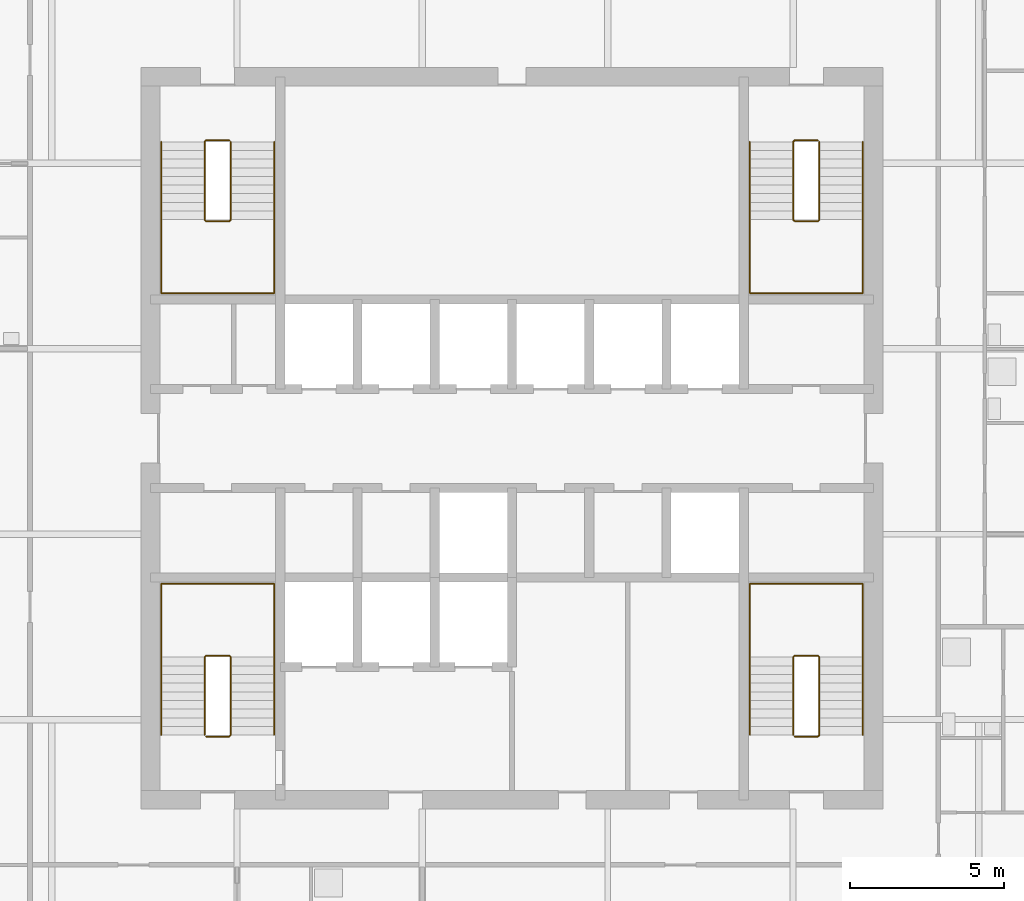
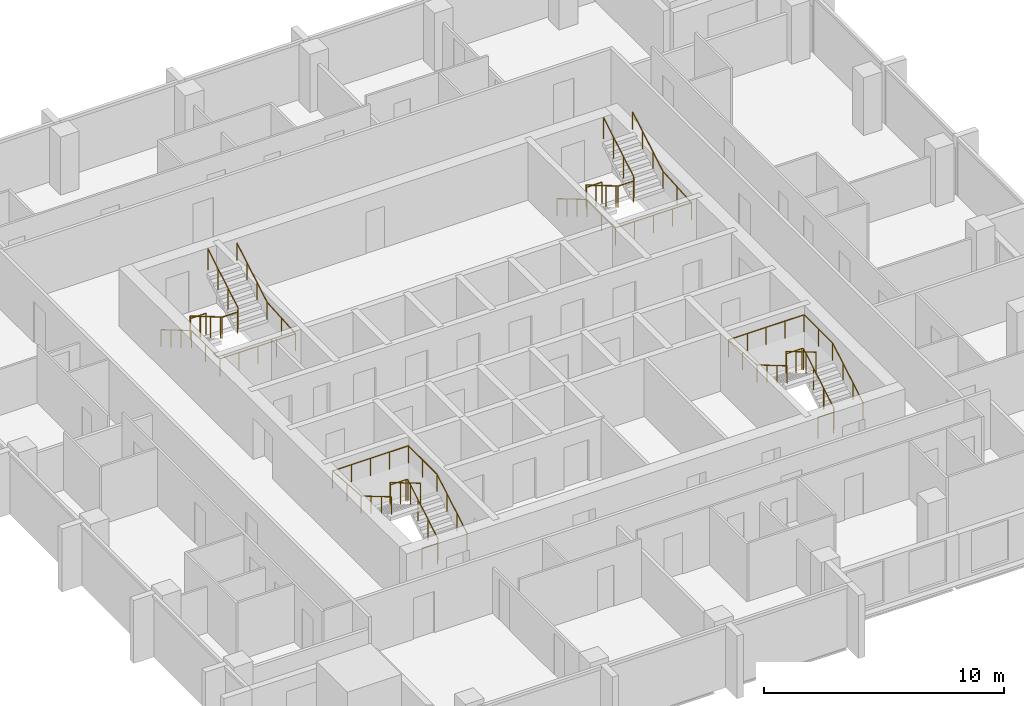
# One storey, part 9 of 10: 8 railings.
"""IFC4 building model written with IfcOpenShell, lengths in metres."""

from ifc_helpers import new_model, si_unit, direction, frame, origin, origin_2d, place, context, subcontext, project, spatial, circle, extrude, material, type_object, element, save


model = new_model("IFC4")

# Units and contexts
model_context = context("Model", 3, precision=1e-05, world=origin(), true_north=direction((0.0, 1.0)))
body_context = subcontext(model_context, "Body", "Model", "MODEL_VIEW")
ifc_project = project(units=[si_unit("LENGTHUNIT", "METRE"), si_unit("AREAUNIT", "SQUARE_METRE"), si_unit("VOLUMEUNIT", "CUBIC_METRE"), si_unit("PLANEANGLEUNIT", "RADIAN"), si_unit("MASSUNIT", "GRAM", prefix="KILO")], contexts=[model_context])

# Site, building, storey
site_placement = place(None, origin())
site = spatial("IfcSite", under=ifc_project, at=site_placement, CompositionType="ELEMENT")
building_placement = place(site_placement, origin())
building = spatial("IfcBuilding", under=site, at=building_placement, Name="Amberfall Residences", CompositionType="ELEMENT")
storey_placement = place(building_placement, frame((0.0, 0.0, 226.60009765625)))
storey = spatial("IfcBuildingStorey", under=building, at=storey_placement, Name="L61", CompositionType="ELEMENT", Elevation=226.60009765625)

# Railings
ifc_material = material(Name="Stainless steel 316", Category="steel")
railing_type_1 = type_object("IfcRailingType", Name="Stair guard 1100", PredefinedType="GUARDRAIL", material=ifc_material)
railing_1_placement = place(storey_placement, frame((64.60009765625, 35.85009765625, 0.0)))
element("IfcRailing", 1, at=railing_1_placement, inside=storey, type_object=railing_type_1, Name="L61 stair 1 guard", PredefinedType="GUARDRAIL", context=body_context, shape_type="SweptSolid", body=[
    extrude(circle(Radius=0.02392578125, at=origin_2d()), frame((0.0, 0.0, 1.076171875), z_axis=(1.0, 0.0, 0.0), x_axis=(0.0, 1.0, 0.0)), (0.0, 0.0, 1.0), 0.75),
    extrude(circle(Radius=0.02392578125, at=origin_2d()), frame((0.75, 0.0, 1.076171875), z_axis=(0.277903107438, 0.277903107438, 0.919532340787), x_axis=(-0.707106781187, 0.707106781187, 0.0)), (0.0, 0.0, 1.0), 0.17919921875),
    extrude(circle(Radius=0.02392578125, at=origin_2d()), frame((0.7998046875, 0.0498046875, 1.24072265625), z_axis=(0.0, 0.86152411907, 0.507716645641), x_axis=(-1.0, 0.0, 0.0)), (0.0, 0.0, 1.0), 2.925048828125),
    extrude(circle(Radius=0.02392578125, at=origin_2d()), frame((0.7998046875, 2.56982421875, 2.72607421875), z_axis=(-0.705375805398, 0.708833529934, 0.0), x_axis=(-0.708833529934, -0.705375805398, 0.0)), (0.0, 0.0, 1.0), 0.070556640625),
    extrude(circle(Radius=0.02392578125, at=origin_2d()), frame((0.75, 2.619873046875, 2.72607421875), z_axis=(-1.0, 0.0, 0.0), x_axis=(0.0, -1.0, 0.0)), (0.0, 0.0, 1.0), 0.75),
    extrude(circle(Radius=0.02392578125, at=origin_2d()), frame((0.0, 2.619873046875, 2.72607421875), z_axis=(-0.278705021027, -0.278705021027, 0.919046801044), x_axis=(0.707106781187, -0.707106781187, 0.0)), (0.0, 0.0, 1.0), 0.1796875),
    extrude(circle(Radius=0.02392578125, at=origin_2d()), frame((-0.050048828125, 2.56982421875, 2.89111328125), z_axis=(0.0, -0.861560626758, 0.507654692109), x_axis=(1.0, 0.0, 0.0)), (0.0, 0.0, 1.0), 2.925048828125),
    extrude(circle(Radius=0.02099609375, at=origin_2d()), origin(), (0.0, 0.0, 1.0), 1.052001953125),
    extrude(circle(Radius=0.02099609375, at=origin_2d()), frame((0.75, 0.0, 0.0)), (0.0, 0.0, 1.0), 1.052001953125),
    extrude(circle(Radius=0.02099609375, at=origin_2d()), frame((0.7998046875, 0.0498046875, 0.164794921875)), (0.0, 0.0, 1.0), 1.052001953125),
    extrude(circle(Radius=0.02099609375, at=origin_2d()), frame((0.7998046875, 0.889892578125, 0.659912109375)), (0.0, 0.0, 1.0), 1.052001953125),
    extrude(circle(Radius=0.02099609375, at=origin_2d()), frame((0.7998046875, 1.729736328125, 1.15478515625)), (0.0, 0.0, 1.0), 1.052001953125),
    extrude(circle(Radius=0.02099609375, at=origin_2d()), frame((0.7998046875, 2.56982421875, 1.64990234375)), (0.0, 0.0, 1.0), 1.052001953125),
    extrude(circle(Radius=0.02099609375, at=origin_2d()), frame((0.75, 2.619873046875, 1.64990234375)), (0.0, 0.0, 1.0), 1.052001953125),
    extrude(circle(Radius=0.02099609375, at=origin_2d()), frame((0.0, 2.619873046875, 1.64990234375)), (0.0, 0.0, 1.0), 1.052001953125),
    extrude(circle(Radius=0.02099609375, at=origin_2d()), frame((-0.050048828125, 2.56982421875, 1.81494140625)), (0.0, 0.0, 1.0), 1.052001953125),
    extrude(circle(Radius=0.02099609375, at=origin_2d()), frame((-0.050048828125, 1.729736328125, 2.309814453125)), (0.0, 0.0, 1.0), 1.052001953125),
    extrude(circle(Radius=0.02099609375, at=origin_2d()), frame((-0.050048828125, 0.889892578125, 2.804931640625)), (0.0, 0.0, 1.0), 1.052001953125),
    extrude(circle(Radius=0.02099609375, at=origin_2d()), frame((-0.050048828125, 0.0498046875, 3.2998046875)), (0.0, 0.0, 1.0), 1.052001953125),
])
railing_2_placement = place(storey_placement, frame((83.64990234375, 35.85009765625, 0.0)))
element("IfcRailing", 2, at=railing_2_placement, inside=storey, type_object=railing_type_1, Name="L61 stair 2 guard", PredefinedType="GUARDRAIL", context=body_context, shape_type="SweptSolid", body=[
    extrude(circle(Radius=0.02392578125, at=origin_2d()), frame((0.0, 0.0, 1.076171875), z_axis=(1.0, 0.0, 0.0), x_axis=(0.0, 1.0, 0.0)), (0.0, 0.0, 1.0), 0.75),
    extrude(circle(Radius=0.02392578125, at=origin_2d()), frame((0.75, 0.0, 1.076171875), z_axis=(0.279159454702, 0.277797701265, 0.919183570361), x_axis=(-0.705375805398, 0.708833529934, 0.0)), (0.0, 0.0, 1.0), 0.17919921875),
    extrude(circle(Radius=0.02392578125, at=origin_2d()), frame((0.800048828125, 0.0498046875, 1.24072265625), z_axis=(0.0, 0.86152411907, 0.507716645641), x_axis=(-1.0, 0.0, 0.0)), (0.0, 0.0, 1.0), 2.925048828125),
    extrude(circle(Radius=0.02392578125, at=origin_2d()), frame((0.800048828125, 2.56982421875, 2.72607421875), z_axis=(-0.707106781187, 0.707106781187, 0.0), x_axis=(-0.707106781187, -0.707106781187, 0.0)), (0.0, 0.0, 1.0), 0.07080078125),
    extrude(circle(Radius=0.02392578125, at=origin_2d()), frame((0.75, 2.619873046875, 2.72607421875), z_axis=(-1.0, 0.0, 0.0), x_axis=(0.0, -1.0, 0.0)), (0.0, 0.0, 1.0), 0.75),
    extrude(circle(Radius=0.02392578125, at=origin_2d()), frame((0.0, 2.619873046875, 2.72607421875), z_axis=(-0.277450376394, -0.278810427259, 0.919394384522), x_axis=(0.708833529934, -0.705375805398, 0.0)), (0.0, 0.0, 1.0), 0.179443359375),
    extrude(circle(Radius=0.02392578125, at=origin_2d()), frame((-0.0498046875, 2.56982421875, 2.89111328125), z_axis=(0.0, -0.861560626758, 0.507654692109), x_axis=(1.0, 0.0, 0.0)), (0.0, 0.0, 1.0), 2.925048828125),
    extrude(circle(Radius=0.02099609375, at=origin_2d()), origin(), (0.0, 0.0, 1.0), 1.052001953125),
    extrude(circle(Radius=0.02099609375, at=origin_2d()), frame((0.75, 0.0, 0.0)), (0.0, 0.0, 1.0), 1.052001953125),
    extrude(circle(Radius=0.02099609375, at=origin_2d()), frame((0.800048828125, 0.0498046875, 0.164794921875)), (0.0, 0.0, 1.0), 1.052001953125),
    extrude(circle(Radius=0.02099609375, at=origin_2d()), frame((0.800048828125, 0.889892578125, 0.659912109375)), (0.0, 0.0, 1.0), 1.052001953125),
    extrude(circle(Radius=0.02099609375, at=origin_2d()), frame((0.800048828125, 1.729736328125, 1.15478515625)), (0.0, 0.0, 1.0), 1.052001953125),
    extrude(circle(Radius=0.02099609375, at=origin_2d()), frame((0.800048828125, 2.56982421875, 1.64990234375)), (0.0, 0.0, 1.0), 1.052001953125),
    extrude(circle(Radius=0.02099609375, at=origin_2d()), frame((0.75, 2.619873046875, 1.64990234375)), (0.0, 0.0, 1.0), 1.052001953125),
    extrude(circle(Radius=0.02099609375, at=origin_2d()), frame((0.0, 2.619873046875, 1.64990234375)), (0.0, 0.0, 1.0), 1.052001953125),
    extrude(circle(Radius=0.02099609375, at=origin_2d()), frame((-0.0498046875, 2.56982421875, 1.81494140625)), (0.0, 0.0, 1.0), 1.052001953125),
    extrude(circle(Radius=0.02099609375, at=origin_2d()), frame((-0.0498046875, 1.729736328125, 2.309814453125)), (0.0, 0.0, 1.0), 1.052001953125),
    extrude(circle(Radius=0.02099609375, at=origin_2d()), frame((-0.0498046875, 0.889892578125, 2.804931640625)), (0.0, 0.0, 1.0), 1.052001953125),
    extrude(circle(Radius=0.02099609375, at=origin_2d()), frame((-0.0498046875, 0.0498046875, 3.2998046875)), (0.0, 0.0, 1.0), 1.052001953125),
])
railing_3_placement = place(storey_placement, frame((84.39990234375, 55.14990234375, 0.0)))
element("IfcRailing", 3, at=railing_3_placement, inside=storey, type_object=railing_type_1, Name="L61 stair 3 guard", PredefinedType="GUARDRAIL", context=body_context, shape_type="SweptSolid", body=[
    extrude(circle(Radius=0.02392578125, at=origin_2d()), frame((0.0, 0.0, 1.076171875), z_axis=(-1.0, 0.0, 0.0), x_axis=(0.0, -1.0, 0.0)), (0.0, 0.0, 1.0), 0.75),
    extrude(circle(Radius=0.02392578125, at=origin_2d()), frame((-0.75, 0.0, 1.076171875), z_axis=(-0.277903107438, -0.277903107438, 0.919532340787), x_axis=(0.707106781187, -0.707106781187, 0.0)), (0.0, 0.0, 1.0), 0.17919921875),
    extrude(circle(Radius=0.02392578125, at=origin_2d()), frame((-0.7998046875, -0.0498046875, 1.24072265625), z_axis=(0.0, -0.86152411907, 0.507716645641), x_axis=(1.0, 0.0, 0.0)), (0.0, 0.0, 1.0), 2.925048828125),
    extrude(circle(Radius=0.02392578125, at=origin_2d()), frame((-0.7998046875, -2.56982421875, 2.72607421875), z_axis=(0.705375805398, -0.708833529934, 0.0), x_axis=(0.708833529934, 0.705375805398, 0.0)), (0.0, 0.0, 1.0), 0.070556640625),
    extrude(circle(Radius=0.02392578125, at=origin_2d()), frame((-0.75, -2.619873046875, 2.72607421875), z_axis=(1.0, 0.0, 0.0), x_axis=(0.0, 1.0, 0.0)), (0.0, 0.0, 1.0), 0.75),
    extrude(circle(Radius=0.02392578125, at=origin_2d()), frame((0.0, -2.619873046875, 2.72607421875), z_axis=(0.278705021027, 0.278705021027, 0.919046801044), x_axis=(-0.707106781187, 0.707106781187, 0.0)), (0.0, 0.0, 1.0), 0.1796875),
    extrude(circle(Radius=0.02392578125, at=origin_2d()), frame((0.050048828125, -2.56982421875, 2.89111328125), z_axis=(0.0, 0.861560626758, 0.507654692109), x_axis=(-1.0, 0.0, 0.0)), (0.0, 0.0, 1.0), 2.925048828125),
    extrude(circle(Radius=0.02099609375, at=origin_2d()), origin(), (0.0, 0.0, 1.0), 1.052001953125),
    extrude(circle(Radius=0.02099609375, at=origin_2d()), frame((-0.75, 0.0, 0.0)), (0.0, 0.0, 1.0), 1.052001953125),
    extrude(circle(Radius=0.02099609375, at=origin_2d()), frame((-0.7998046875, -0.0498046875, 0.164794921875)), (0.0, 0.0, 1.0), 1.052001953125),
    extrude(circle(Radius=0.02099609375, at=origin_2d()), frame((-0.7998046875, -0.889892578125, 0.659912109375)), (0.0, 0.0, 1.0), 1.052001953125),
    extrude(circle(Radius=0.02099609375, at=origin_2d()), frame((-0.7998046875, -1.729736328125, 1.15478515625)), (0.0, 0.0, 1.0), 1.052001953125),
    extrude(circle(Radius=0.02099609375, at=origin_2d()), frame((-0.7998046875, -2.56982421875, 1.64990234375)), (0.0, 0.0, 1.0), 1.052001953125),
    extrude(circle(Radius=0.02099609375, at=origin_2d()), frame((-0.75, -2.619873046875, 1.64990234375)), (0.0, 0.0, 1.0), 1.052001953125),
    extrude(circle(Radius=0.02099609375, at=origin_2d()), frame((0.0, -2.619873046875, 1.64990234375)), (0.0, 0.0, 1.0), 1.052001953125),
    extrude(circle(Radius=0.02099609375, at=origin_2d()), frame((0.050048828125, -2.56982421875, 1.81494140625)), (0.0, 0.0, 1.0), 1.052001953125),
    extrude(circle(Radius=0.02099609375, at=origin_2d()), frame((0.050048828125, -1.729736328125, 2.309814453125)), (0.0, 0.0, 1.0), 1.052001953125),
    extrude(circle(Radius=0.02099609375, at=origin_2d()), frame((0.050048828125, -0.889892578125, 2.804931640625)), (0.0, 0.0, 1.0), 1.052001953125),
    extrude(circle(Radius=0.02099609375, at=origin_2d()), frame((0.050048828125, -0.0498046875, 3.2998046875)), (0.0, 0.0, 1.0), 1.052001953125),
])
railing_4_placement = place(storey_placement, frame((65.35009765625, 55.14990234375, 0.0)))
element("IfcRailing", 4, at=railing_4_placement, inside=storey, type_object=railing_type_1, Name="L61 stair 4 guard", PredefinedType="GUARDRAIL", context=body_context, shape_type="SweptSolid", body=[
    extrude(circle(Radius=0.02392578125, at=origin_2d()), frame((0.0, 0.0, 1.076171875), z_axis=(-1.0, 0.0, 0.0), x_axis=(0.0, -1.0, 0.0)), (0.0, 0.0, 1.0), 0.75),
    extrude(circle(Radius=0.02392578125, at=origin_2d()), frame((-0.75, 0.0, 1.076171875), z_axis=(-0.279159454702, -0.277797701265, 0.919183570361), x_axis=(0.705375805398, -0.708833529934, 0.0)), (0.0, 0.0, 1.0), 0.17919921875),
    extrude(circle(Radius=0.02392578125, at=origin_2d()), frame((-0.800048828125, -0.0498046875, 1.24072265625), z_axis=(0.0, -0.86152411907, 0.507716645641), x_axis=(1.0, 0.0, 0.0)), (0.0, 0.0, 1.0), 2.925048828125),
    extrude(circle(Radius=0.02392578125, at=origin_2d()), frame((-0.800048828125, -2.56982421875, 2.72607421875), z_axis=(0.707106781187, -0.707106781187, 0.0), x_axis=(0.707106781187, 0.707106781187, 0.0)), (0.0, 0.0, 1.0), 0.07080078125),
    extrude(circle(Radius=0.02392578125, at=origin_2d()), frame((-0.75, -2.619873046875, 2.72607421875), z_axis=(1.0, 0.0, 0.0), x_axis=(0.0, 1.0, 0.0)), (0.0, 0.0, 1.0), 0.75),
    extrude(circle(Radius=0.02392578125, at=origin_2d()), frame((0.0, -2.619873046875, 2.72607421875), z_axis=(0.277450376394, 0.278810427259, 0.919394384522), x_axis=(-0.708833529934, 0.705375805398, 0.0)), (0.0, 0.0, 1.0), 0.179443359375),
    extrude(circle(Radius=0.02392578125, at=origin_2d()), frame((0.0498046875, -2.56982421875, 2.89111328125), z_axis=(0.0, 0.861560626758, 0.507654692109), x_axis=(-1.0, 0.0, 0.0)), (0.0, 0.0, 1.0), 2.925048828125),
    extrude(circle(Radius=0.02099609375, at=origin_2d()), origin(), (0.0, 0.0, 1.0), 1.052001953125),
    extrude(circle(Radius=0.02099609375, at=origin_2d()), frame((-0.75, 0.0, 0.0)), (0.0, 0.0, 1.0), 1.052001953125),
    extrude(circle(Radius=0.02099609375, at=origin_2d()), frame((-0.800048828125, -0.0498046875, 0.164794921875)), (0.0, 0.0, 1.0), 1.052001953125),
    extrude(circle(Radius=0.02099609375, at=origin_2d()), frame((-0.800048828125, -0.889892578125, 0.659912109375)), (0.0, 0.0, 1.0), 1.052001953125),
    extrude(circle(Radius=0.02099609375, at=origin_2d()), frame((-0.800048828125, -1.729736328125, 1.15478515625)), (0.0, 0.0, 1.0), 1.052001953125),
    extrude(circle(Radius=0.02099609375, at=origin_2d()), frame((-0.800048828125, -2.56982421875, 1.64990234375)), (0.0, 0.0, 1.0), 1.052001953125),
    extrude(circle(Radius=0.02099609375, at=origin_2d()), frame((-0.75, -2.619873046875, 1.64990234375)), (0.0, 0.0, 1.0), 1.052001953125),
    extrude(circle(Radius=0.02099609375, at=origin_2d()), frame((0.0, -2.619873046875, 1.64990234375)), (0.0, 0.0, 1.0), 1.052001953125),
    extrude(circle(Radius=0.02099609375, at=origin_2d()), frame((0.0498046875, -2.56982421875, 1.81494140625)), (0.0, 0.0, 1.0), 1.052001953125),
    extrude(circle(Radius=0.02099609375, at=origin_2d()), frame((0.0498046875, -1.729736328125, 2.309814453125)), (0.0, 0.0, 1.0), 1.052001953125),
    extrude(circle(Radius=0.02099609375, at=origin_2d()), frame((0.0498046875, -0.889892578125, 2.804931640625)), (0.0, 0.0, 1.0), 1.052001953125),
    extrude(circle(Radius=0.02099609375, at=origin_2d()), frame((0.0498046875, -0.0498046875, 3.2998046875)), (0.0, 0.0, 1.0), 1.052001953125),
])
railing_type_2 = type_object("IfcRailingType", Name="Stair handrail 900", PredefinedType="HANDRAIL", material=ifc_material)
railing_5_placement = place(storey_placement, frame((66.800048828125, 35.89990234375, 0.164794921875)))
element("IfcRailing", 5, at=railing_5_placement, inside=storey, type_object=railing_type_2, Name="L61 stair 1 handrail", PredefinedType="HANDRAIL", context=body_context, shape_type="SweptSolid", body=[
    extrude(circle(Radius=0.02392578125, at=origin_2d()), frame((0.0, 0.0, 0.8759765625), z_axis=(0.0, 0.86152411907, 0.507716645641), x_axis=(-1.0, 0.0, 0.0)), (0.0, 0.0, 1.0), 2.925048828125),
    extrude(circle(Radius=0.02392578125, at=origin_2d()), frame((0.0, 2.52001953125, 2.36083984375), z_axis=(0.0, 1.0, 0.0), x_axis=(-1.0, 0.0, 0.0)), (0.0, 0.0, 1.0), 2.380126953125),
    extrude(circle(Radius=0.02392578125, at=origin_2d()), frame((0.0, 4.900146484375, 2.36083984375), z_axis=(-1.0, 0.0, 0.0), x_axis=(0.0, -1.0, 0.0)), (0.0, 0.0, 1.0), 3.650146484375),
    extrude(circle(Radius=0.02392578125, at=origin_2d()), frame((-3.650146484375, 4.900146484375, 2.36083984375), z_axis=(0.0, -0.997604585917, 0.069174346095), x_axis=(1.0, 0.0, 0.0)), (0.0, 0.0, 1.0), 2.3857421875),
    extrude(circle(Radius=0.02392578125, at=origin_2d()), frame((-3.650146484375, 2.52001953125, 2.52587890625), z_axis=(0.0, -0.861560626758, 0.507654692109), x_axis=(1.0, 0.0, 0.0)), (0.0, 0.0, 1.0), 2.925048828125),
    extrude(circle(Radius=0.02099609375, at=origin_2d()), origin(), (0.0, 0.0, 1.0), 0.851806640625),
    extrude(circle(Radius=0.02099609375, at=origin_2d()), frame((0.0, 0.840087890625, 0.4951171875)), (0.0, 0.0, 1.0), 0.851806640625),
    extrude(circle(Radius=0.02099609375, at=origin_2d()), frame((0.0, 1.679931640625, 0.989990234375)), (0.0, 0.0, 1.0), 0.851806640625),
    extrude(circle(Radius=0.02099609375, at=origin_2d()), frame((0.0, 2.52001953125, 1.485107421875)), (0.0, 0.0, 1.0), 0.851806640625),
    extrude(circle(Radius=0.02099609375, at=origin_2d()), frame((0.0, 3.7099609375, 1.485107421875)), (0.0, 0.0, 1.0), 0.851806640625),
    extrude(circle(Radius=0.02099609375, at=origin_2d()), frame((0.0, 4.900146484375, 1.485107421875)), (0.0, 0.0, 1.0), 0.851806640625),
    extrude(circle(Radius=0.02099609375, at=origin_2d()), frame((-0.91259765625, 4.900146484375, 1.485107421875)), (0.0, 0.0, 1.0), 0.851806640625),
    extrude(circle(Radius=0.02099609375, at=origin_2d()), frame((-1.8251953125, 4.900146484375, 1.485107421875)), (0.0, 0.0, 1.0), 0.851806640625),
    extrude(circle(Radius=0.02099609375, at=origin_2d()), frame((-2.737548828125, 4.900146484375, 1.485107421875)), (0.0, 0.0, 1.0), 0.851806640625),
    extrude(circle(Radius=0.02099609375, at=origin_2d()), frame((-3.650146484375, 4.900146484375, 1.485107421875)), (0.0, 0.0, 1.0), 0.851806640625),
    extrude(circle(Radius=0.02099609375, at=origin_2d()), frame((-3.650146484375, 3.7099609375, 1.567626953125)), (0.0, 0.0, 1.0), 0.851806640625),
    extrude(circle(Radius=0.02099609375, at=origin_2d()), frame((-3.650146484375, 2.52001953125, 1.650146484375)), (0.0, 0.0, 1.0), 0.851806640625),
    extrude(circle(Radius=0.02099609375, at=origin_2d()), frame((-3.650146484375, 1.679931640625, 2.14501953125)), (0.0, 0.0, 1.0), 0.851806640625),
    extrude(circle(Radius=0.02099609375, at=origin_2d()), frame((-3.650146484375, 0.840087890625, 2.64013671875)), (0.0, 0.0, 1.0), 0.851806640625),
    extrude(circle(Radius=0.02099609375, at=origin_2d()), frame((-3.650146484375, 0.0, 3.135009765625)), (0.0, 0.0, 1.0), 0.851806640625),
])
railing_6_placement = place(storey_placement, frame((85.85009765625, 35.89990234375, 0.164794921875)))
element("IfcRailing", 6, at=railing_6_placement, inside=storey, type_object=railing_type_2, Name="L61 stair 2 handrail", PredefinedType="HANDRAIL", context=body_context, shape_type="SweptSolid", body=[
    extrude(circle(Radius=0.02392578125, at=origin_2d()), frame((0.0, 0.0, 0.8759765625), z_axis=(0.0, 0.86152411907, 0.507716645641), x_axis=(-1.0, 0.0, 0.0)), (0.0, 0.0, 1.0), 2.925048828125),
    extrude(circle(Radius=0.02392578125, at=origin_2d()), frame((0.0, 2.52001953125, 2.36083984375), z_axis=(0.0, 1.0, 0.0), x_axis=(-1.0, 0.0, 0.0)), (0.0, 0.0, 1.0), 2.380126953125),
    extrude(circle(Radius=0.02392578125, at=origin_2d()), frame((0.0, 4.900146484375, 2.36083984375), z_axis=(-1.0, 0.0, 0.0), x_axis=(0.0, -1.0, 0.0)), (0.0, 0.0, 1.0), 3.650146484375),
    extrude(circle(Radius=0.02392578125, at=origin_2d()), frame((-3.650146484375, 4.900146484375, 2.36083984375), z_axis=(0.0, -0.997604585917, 0.069174346095), x_axis=(1.0, 0.0, 0.0)), (0.0, 0.0, 1.0), 2.3857421875),
    extrude(circle(Radius=0.02392578125, at=origin_2d()), frame((-3.650146484375, 2.52001953125, 2.52587890625), z_axis=(0.0, -0.861560626758, 0.507654692109), x_axis=(1.0, 0.0, 0.0)), (0.0, 0.0, 1.0), 2.925048828125),
    extrude(circle(Radius=0.02099609375, at=origin_2d()), origin(), (0.0, 0.0, 1.0), 0.851806640625),
    extrude(circle(Radius=0.02099609375, at=origin_2d()), frame((0.0, 0.840087890625, 0.4951171875)), (0.0, 0.0, 1.0), 0.851806640625),
    extrude(circle(Radius=0.02099609375, at=origin_2d()), frame((0.0, 1.679931640625, 0.989990234375)), (0.0, 0.0, 1.0), 0.851806640625),
    extrude(circle(Radius=0.02099609375, at=origin_2d()), frame((0.0, 2.52001953125, 1.485107421875)), (0.0, 0.0, 1.0), 0.851806640625),
    extrude(circle(Radius=0.02099609375, at=origin_2d()), frame((0.0, 3.7099609375, 1.485107421875)), (0.0, 0.0, 1.0), 0.851806640625),
    extrude(circle(Radius=0.02099609375, at=origin_2d()), frame((0.0, 4.900146484375, 1.485107421875)), (0.0, 0.0, 1.0), 0.851806640625),
    extrude(circle(Radius=0.02099609375, at=origin_2d()), frame((-0.91259765625, 4.900146484375, 1.485107421875)), (0.0, 0.0, 1.0), 0.851806640625),
    extrude(circle(Radius=0.02099609375, at=origin_2d()), frame((-1.8251953125, 4.900146484375, 1.485107421875)), (0.0, 0.0, 1.0), 0.851806640625),
    extrude(circle(Radius=0.02099609375, at=origin_2d()), frame((-2.737548828125, 4.900146484375, 1.485107421875)), (0.0, 0.0, 1.0), 0.851806640625),
    extrude(circle(Radius=0.02099609375, at=origin_2d()), frame((-3.650146484375, 4.900146484375, 1.485107421875)), (0.0, 0.0, 1.0), 0.851806640625),
    extrude(circle(Radius=0.02099609375, at=origin_2d()), frame((-3.650146484375, 3.7099609375, 1.567626953125)), (0.0, 0.0, 1.0), 0.851806640625),
    extrude(circle(Radius=0.02099609375, at=origin_2d()), frame((-3.650146484375, 2.52001953125, 1.650146484375)), (0.0, 0.0, 1.0), 0.851806640625),
    extrude(circle(Radius=0.02099609375, at=origin_2d()), frame((-3.650146484375, 1.679931640625, 2.14501953125)), (0.0, 0.0, 1.0), 0.851806640625),
    extrude(circle(Radius=0.02099609375, at=origin_2d()), frame((-3.650146484375, 0.840087890625, 2.64013671875)), (0.0, 0.0, 1.0), 0.851806640625),
    extrude(circle(Radius=0.02099609375, at=origin_2d()), frame((-3.650146484375, 0.0, 3.135009765625)), (0.0, 0.0, 1.0), 0.851806640625),
])
railing_7_placement = place(storey_placement, frame((82.199951171875, 55.10009765625, 0.164794921875)))
element("IfcRailing", 7, at=railing_7_placement, inside=storey, type_object=railing_type_2, Name="L61 stair 3 handrail", PredefinedType="HANDRAIL", context=body_context, shape_type="SweptSolid", body=[
    extrude(circle(Radius=0.02392578125, at=origin_2d()), frame((0.0, 0.0, 0.8759765625), z_axis=(0.0, -0.86152411907, 0.507716645641), x_axis=(1.0, 0.0, 0.0)), (0.0, 0.0, 1.0), 2.925048828125),
    extrude(circle(Radius=0.02392578125, at=origin_2d()), frame((0.0, -2.52001953125, 2.36083984375), z_axis=(0.0, -1.0, 0.0), x_axis=(1.0, 0.0, 0.0)), (0.0, 0.0, 1.0), 2.380126953125),
    extrude(circle(Radius=0.02392578125, at=origin_2d()), frame((0.0, -4.900146484375, 2.36083984375), z_axis=(1.0, 0.0, 0.0), x_axis=(0.0, 1.0, 0.0)), (0.0, 0.0, 1.0), 3.650146484375),
    extrude(circle(Radius=0.02392578125, at=origin_2d()), frame((3.650146484375, -4.900146484375, 2.36083984375), z_axis=(0.0, 0.997604585917, 0.069174346095), x_axis=(-1.0, 0.0, 0.0)), (0.0, 0.0, 1.0), 2.3857421875),
    extrude(circle(Radius=0.02392578125, at=origin_2d()), frame((3.650146484375, -2.52001953125, 2.52587890625), z_axis=(0.0, 0.861560626758, 0.507654692109), x_axis=(-1.0, 0.0, 0.0)), (0.0, 0.0, 1.0), 2.925048828125),
    extrude(circle(Radius=0.02099609375, at=origin_2d()), origin(), (0.0, 0.0, 1.0), 0.851806640625),
    extrude(circle(Radius=0.02099609375, at=origin_2d()), frame((0.0, -0.840087890625, 0.4951171875)), (0.0, 0.0, 1.0), 0.851806640625),
    extrude(circle(Radius=0.02099609375, at=origin_2d()), frame((0.0, -1.679931640625, 0.989990234375)), (0.0, 0.0, 1.0), 0.851806640625),
    extrude(circle(Radius=0.02099609375, at=origin_2d()), frame((0.0, -2.52001953125, 1.485107421875)), (0.0, 0.0, 1.0), 0.851806640625),
    extrude(circle(Radius=0.02099609375, at=origin_2d()), frame((0.0, -3.7099609375, 1.485107421875)), (0.0, 0.0, 1.0), 0.851806640625),
    extrude(circle(Radius=0.02099609375, at=origin_2d()), frame((0.0, -4.900146484375, 1.485107421875)), (0.0, 0.0, 1.0), 0.851806640625),
    extrude(circle(Radius=0.02099609375, at=origin_2d()), frame((0.91259765625, -4.900146484375, 1.485107421875)), (0.0, 0.0, 1.0), 0.851806640625),
    extrude(circle(Radius=0.02099609375, at=origin_2d()), frame((1.8251953125, -4.900146484375, 1.485107421875)), (0.0, 0.0, 1.0), 0.851806640625),
    extrude(circle(Radius=0.02099609375, at=origin_2d()), frame((2.737548828125, -4.900146484375, 1.485107421875)), (0.0, 0.0, 1.0), 0.851806640625),
    extrude(circle(Radius=0.02099609375, at=origin_2d()), frame((3.650146484375, -4.900146484375, 1.485107421875)), (0.0, 0.0, 1.0), 0.851806640625),
    extrude(circle(Radius=0.02099609375, at=origin_2d()), frame((3.650146484375, -3.7099609375, 1.567626953125)), (0.0, 0.0, 1.0), 0.851806640625),
    extrude(circle(Radius=0.02099609375, at=origin_2d()), frame((3.650146484375, -2.52001953125, 1.650146484375)), (0.0, 0.0, 1.0), 0.851806640625),
    extrude(circle(Radius=0.02099609375, at=origin_2d()), frame((3.650146484375, -1.679931640625, 2.14501953125)), (0.0, 0.0, 1.0), 0.851806640625),
    extrude(circle(Radius=0.02099609375, at=origin_2d()), frame((3.650146484375, -0.840087890625, 2.64013671875)), (0.0, 0.0, 1.0), 0.851806640625),
    extrude(circle(Radius=0.02099609375, at=origin_2d()), frame((3.650146484375, 0.0, 3.135009765625)), (0.0, 0.0, 1.0), 0.851806640625),
])
railing_8_placement = place(storey_placement, frame((63.14990234375, 55.10009765625, 0.164794921875)))
element("IfcRailing", 8, at=railing_8_placement, inside=storey, type_object=railing_type_2, Name="L61 stair 4 handrail", PredefinedType="HANDRAIL", context=body_context, shape_type="SweptSolid", body=[
    extrude(circle(Radius=0.02392578125, at=origin_2d()), frame((0.0, 0.0, 0.8759765625), z_axis=(0.0, -0.86152411907, 0.507716645641), x_axis=(1.0, 0.0, 0.0)), (0.0, 0.0, 1.0), 2.925048828125),
    extrude(circle(Radius=0.02392578125, at=origin_2d()), frame((0.0, -2.52001953125, 2.36083984375), z_axis=(0.0, -1.0, 0.0), x_axis=(1.0, 0.0, 0.0)), (0.0, 0.0, 1.0), 2.380126953125),
    extrude(circle(Radius=0.02392578125, at=origin_2d()), frame((0.0, -4.900146484375, 2.36083984375), z_axis=(1.0, 0.0, 0.0), x_axis=(0.0, 1.0, 0.0)), (0.0, 0.0, 1.0), 3.650146484375),
    extrude(circle(Radius=0.02392578125, at=origin_2d()), frame((3.650146484375, -4.900146484375, 2.36083984375), z_axis=(0.0, 0.997604585917, 0.069174346095), x_axis=(-1.0, 0.0, 0.0)), (0.0, 0.0, 1.0), 2.3857421875),
    extrude(circle(Radius=0.02392578125, at=origin_2d()), frame((3.650146484375, -2.52001953125, 2.52587890625), z_axis=(0.0, 0.861560626758, 0.507654692109), x_axis=(-1.0, 0.0, 0.0)), (0.0, 0.0, 1.0), 2.925048828125),
    extrude(circle(Radius=0.02099609375, at=origin_2d()), origin(), (0.0, 0.0, 1.0), 0.851806640625),
    extrude(circle(Radius=0.02099609375, at=origin_2d()), frame((0.0, -0.840087890625, 0.4951171875)), (0.0, 0.0, 1.0), 0.851806640625),
    extrude(circle(Radius=0.02099609375, at=origin_2d()), frame((0.0, -1.679931640625, 0.989990234375)), (0.0, 0.0, 1.0), 0.851806640625),
    extrude(circle(Radius=0.02099609375, at=origin_2d()), frame((0.0, -2.52001953125, 1.485107421875)), (0.0, 0.0, 1.0), 0.851806640625),
    extrude(circle(Radius=0.02099609375, at=origin_2d()), frame((0.0, -3.7099609375, 1.485107421875)), (0.0, 0.0, 1.0), 0.851806640625),
    extrude(circle(Radius=0.02099609375, at=origin_2d()), frame((0.0, -4.900146484375, 1.485107421875)), (0.0, 0.0, 1.0), 0.851806640625),
    extrude(circle(Radius=0.02099609375, at=origin_2d()), frame((0.91259765625, -4.900146484375, 1.485107421875)), (0.0, 0.0, 1.0), 0.851806640625),
    extrude(circle(Radius=0.02099609375, at=origin_2d()), frame((1.8251953125, -4.900146484375, 1.485107421875)), (0.0, 0.0, 1.0), 0.851806640625),
    extrude(circle(Radius=0.02099609375, at=origin_2d()), frame((2.737548828125, -4.900146484375, 1.485107421875)), (0.0, 0.0, 1.0), 0.851806640625),
    extrude(circle(Radius=0.02099609375, at=origin_2d()), frame((3.650146484375, -4.900146484375, 1.485107421875)), (0.0, 0.0, 1.0), 0.851806640625),
    extrude(circle(Radius=0.02099609375, at=origin_2d()), frame((3.650146484375, -3.7099609375, 1.567626953125)), (0.0, 0.0, 1.0), 0.851806640625),
    extrude(circle(Radius=0.02099609375, at=origin_2d()), frame((3.650146484375, -2.52001953125, 1.650146484375)), (0.0, 0.0, 1.0), 0.851806640625),
    extrude(circle(Radius=0.02099609375, at=origin_2d()), frame((3.650146484375, -1.679931640625, 2.14501953125)), (0.0, 0.0, 1.0), 0.851806640625),
    extrude(circle(Radius=0.02099609375, at=origin_2d()), frame((3.650146484375, -0.840087890625, 2.64013671875)), (0.0, 0.0, 1.0), 0.851806640625),
    extrude(circle(Radius=0.02099609375, at=origin_2d()), frame((3.650146484375, 0.0, 3.135009765625)), (0.0, 0.0, 1.0), 0.851806640625),
])

save(model, "model.ifc")
